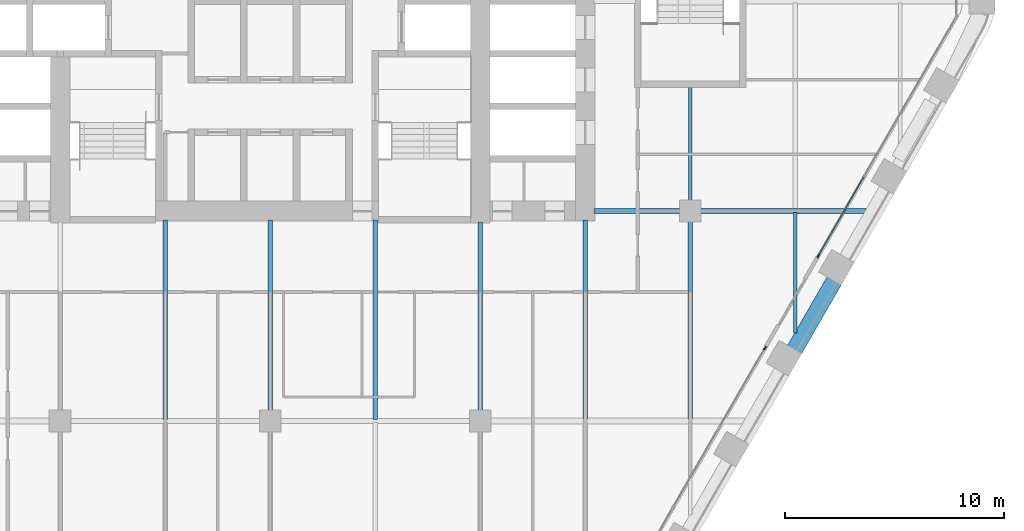
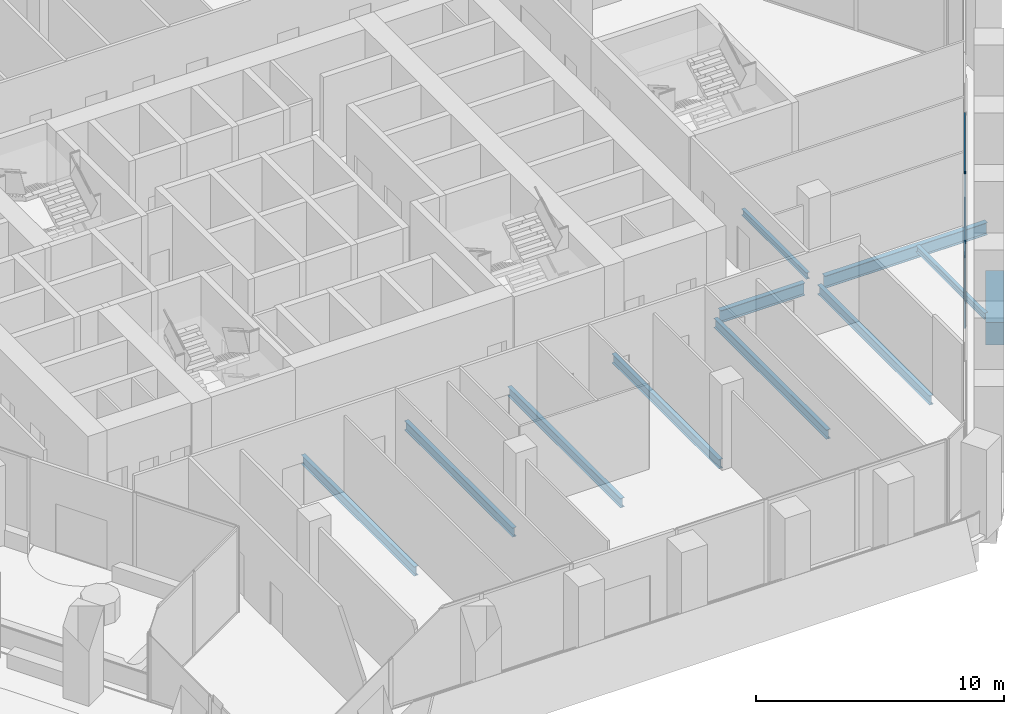
# One storey, part 5 of 27: 11 beams, 4 members, 2 elements without a shape of their own.
"""IFC4 building model written with IfcOpenShell, lengths in metres."""

from ifc_helpers import new_model, si_unit, direction, frame, origin, origin_2d, place, context, subcontext, project, spatial, rectangle, i_section, extrude, material, material_profile, profile_set, type_object, element, aggregate, save


model = new_model("IFC4")

# Units and contexts
model_context = context("Model", 3, precision=1e-05, world=origin(), true_north=direction((0.0, 1.0)))
body_context = subcontext(model_context, "Body", "Model", "MODEL_VIEW")
ifc_project = project(units=[si_unit("LENGTHUNIT", "METRE"), si_unit("AREAUNIT", "SQUARE_METRE"), si_unit("VOLUMEUNIT", "CUBIC_METRE"), si_unit("PLANEANGLEUNIT", "RADIAN"), si_unit("MASSUNIT", "GRAM", prefix="KILO")], contexts=[model_context])

# Site, building, storey
site_placement = place(None, origin())
site = spatial("IfcSite", under=ifc_project, at=site_placement, CompositionType="ELEMENT")
building_placement = place(site_placement, origin())
building = spatial("IfcBuilding", under=site, at=building_placement, Name="Kolab Exchange Tower", CompositionType="ELEMENT")
storey_placement = place(building_placement, frame((0.0, 0.0, 122.89990234375)))
storey = spatial("IfcBuildingStorey", under=building, at=storey_placement, Name="L24", CompositionType="ELEMENT", Elevation=122.89990234375)

# Beams
ifc_material_1 = material(Name="Steel S355", Category="steel")
ifc_material_profile_1 = material_profile(ifc_material_1, i_section(OverallWidth=0.1650390625, OverallDepth=0.31005859375, WebThickness=0.005859375, FlangeThickness=0.009765625, at=origin_2d()), Name="W310X39")
ifc_profile_set_1 = profile_set([ifc_material_profile_1], Name="Steel S355")
beam_type_1 = type_object("IfcBeamType", Name="FLOOR BEAM W310X39", PredefinedType="BEAM", material=ifc_profile_set_1)
beam_1_placement = place(storey_placement, frame((19.199951171875, -9.139892578125, -0.35498046875), z_axis=(0.0, 1.0, 0.0), x_axis=(-1.0, 0.0, 0.0)))
element("IfcBeam", 1, at=beam_1_placement, inside=storey, type_object=beam_type_1, Name="beam/L24/fr/042", PredefinedType="BEAM", context=body_context, shape_type="SweptSolid", body=[
    extrude(i_section(OverallWidth=0.1650390625, OverallDepth=0.31005859375, WebThickness=0.005859375, FlangeThickness=0.009765625, at=origin_2d()), origin(), (0.0, 0.0, 1.0), 5.22998046875),
])
beam_2_placement = place(storey_placement, frame((24.0, -15.167724609375, -0.35498046875), z_axis=(0.0, 1.0, 0.0), x_axis=(-1.0, 0.0, 0.0)))
element("IfcBeam", 2, at=beam_2_placement, inside=storey, type_object=beam_type_1, Name="beam/L24/fr/046", PredefinedType="BEAM", context=body_context, shape_type="SweptSolid", body=[
    extrude(i_section(OverallWidth=0.1650390625, OverallDepth=0.31005859375, WebThickness=0.005859375, FlangeThickness=0.009765625, at=origin_2d()), origin(), (0.0, 0.0, 1.0), 5.49365234375),
])
ifc_material_profile_2 = material_profile(ifc_material_1, i_section(OverallWidth=0.18994140625, OverallDepth=0.45703125, WebThickness=0.009033203125, FlangeThickness=0.014404296875, at=origin_2d()), Name="W460X74")
ifc_profile_set_2 = profile_set([ifc_material_profile_2], Name="Steel S355")
beam_type_2 = type_object("IfcBeamType", Name="FLOOR BEAM W460X74", PredefinedType="BEAM", material=ifc_profile_set_2)
beam_3_placement = place(storey_placement, frame((-4.800048828125, -19.1259765625, -0.428466796875), z_axis=(0.0, 1.0, 0.0), x_axis=(-1.0, 0.0, 0.0)))
element("IfcBeam", 3, at=beam_3_placement, inside=storey, type_object=beam_type_2, Name="beam/L24/fr/021", PredefinedType="BEAM", context=body_context, shape_type="SweptSolid", body=[
    extrude(i_section(OverallWidth=0.18994140625, OverallDepth=0.45703125, WebThickness=0.009033203125, FlangeThickness=0.014404296875, at=origin_2d()), origin(), (0.0, 0.0, 1.0), 9.115966796875),
])
beam_4_placement = place(storey_placement, frame((0.0, -18.739990234375, -0.428466796875), z_axis=(0.0, 1.0, 0.0), x_axis=(-1.0, 0.0, 0.0)))
element("IfcBeam", 4, at=beam_4_placement, inside=storey, type_object=beam_type_2, Name="beam/L24/fr/025", PredefinedType="BEAM", context=body_context, shape_type="SweptSolid", body=[
    extrude(i_section(OverallWidth=0.18994140625, OverallDepth=0.45703125, WebThickness=0.009033203125, FlangeThickness=0.014404296875, at=origin_2d()), origin(), (0.0, 0.0, 1.0), 8.72998046875),
])
beam_5_placement = place(storey_placement, frame((4.800048828125, -19.1259765625, -0.428466796875), z_axis=(0.0, 1.0, 0.0), x_axis=(-1.0, 0.0, 0.0)))
element("IfcBeam", 5, at=beam_5_placement, inside=storey, type_object=beam_type_2, Name="beam/L24/fr/029", PredefinedType="BEAM", context=body_context, shape_type="SweptSolid", body=[
    extrude(i_section(OverallWidth=0.18994140625, OverallDepth=0.45703125, WebThickness=0.009033203125, FlangeThickness=0.014404296875, at=origin_2d()), origin(), (0.0, 0.0, 1.0), 9.115966796875),
])
beam_6_placement = place(storey_placement, frame((9.60009765625, -18.739990234375, -0.428466796875), z_axis=(0.0, 1.0, 0.0), x_axis=(-1.0, 0.0, 0.0)))
element("IfcBeam", 6, at=beam_6_placement, inside=storey, type_object=beam_type_2, Name="beam/L24/fr/033", PredefinedType="BEAM", context=body_context, shape_type="SweptSolid", body=[
    extrude(i_section(OverallWidth=0.18994140625, OverallDepth=0.45703125, WebThickness=0.009033203125, FlangeThickness=0.014404296875, at=origin_2d()), origin(), (0.0, 0.0, 1.0), 8.6298828125),
])
beam_7_placement = place(storey_placement, frame((14.39990234375, -19.1064453125, -0.428466796875), z_axis=(0.0, 1.0, 0.0), x_axis=(-1.0, 0.0, 0.0)))
element("IfcBeam", 7, at=beam_7_placement, inside=storey, type_object=beam_type_2, Name="beam/L24/fr/037", PredefinedType="BEAM", context=body_context, shape_type="SweptSolid", body=[
    extrude(i_section(OverallWidth=0.18994140625, OverallDepth=0.45703125, WebThickness=0.009033203125, FlangeThickness=0.014404296875, at=origin_2d()), origin(), (0.0, 0.0, 1.0), 9.096435546875),
])
beam_8_placement = place(storey_placement, frame((19.199951171875, -19.1064453125, -0.428466796875), z_axis=(0.0, 1.0, 0.0), x_axis=(-1.0, 0.0, 0.0)))
element("IfcBeam", 8, at=beam_8_placement, inside=storey, type_object=beam_type_2, Name="beam/L24/fr/041", PredefinedType="BEAM", context=body_context, shape_type="SweptSolid", body=[
    extrude(i_section(OverallWidth=0.18994140625, OverallDepth=0.45703125, WebThickness=0.009033203125, FlangeThickness=0.014404296875, at=origin_2d()), origin(), (0.0, 0.0, 1.0), 9.04638671875),
])
ifc_material_profile_3 = material_profile(ifc_material_1, i_section(OverallWidth=0.22802734375, OverallDepth=0.60791015625, WebThickness=0.01123046875, FlangeThickness=0.017333984375, at=origin_2d()), Name="W610X113")
ifc_profile_set_3 = profile_set([ifc_material_profile_3], Name="Steel S355")
beam_type_3 = type_object("IfcBeamType", Name="FLOOR GIRDER W610X113", PredefinedType="BEAM", material=ifc_profile_set_3)
beam_9_placement = place(storey_placement, frame((14.81005859375, -9.60009765625, -0.50390625), z_axis=(1.0, 0.0, 0.0), x_axis=(0.0, 1.0, 0.0)))
element("IfcBeam", 9, at=beam_9_placement, inside=storey, type_object=beam_type_3, Name="beam/L24/gd/014", PredefinedType="BEAM", context=body_context, shape_type="SweptSolid", body=[
    extrude(i_section(OverallWidth=0.22802734375, OverallDepth=0.60791015625, WebThickness=0.01123046875, FlangeThickness=0.017333984375, at=origin_2d()), origin(), (0.0, 0.0, 1.0), 3.929931640625),
])
beam_10_placement = place(storey_placement, frame((19.659912109375, -9.60009765625, -0.50390625), z_axis=(1.0, 0.0, 0.0), x_axis=(0.0, 1.0, 0.0)))
element("IfcBeam", 10, at=beam_10_placement, inside=storey, type_object=beam_type_3, Name="beam/L24/gd/017", PredefinedType="BEAM", context=body_context, shape_type="SweptSolid", body=[
    extrude(i_section(OverallWidth=0.22802734375, OverallDepth=0.60791015625, WebThickness=0.01123046875, FlangeThickness=0.017333984375, at=origin_2d()), origin(), (0.0, 0.0, 1.0), 7.571533203125),
])
ifc_material_2 = material(Name="Concrete C70/85", Category="concrete")
ifc_material_profile_4 = material_profile(ifc_material_2, rectangle(XDim=0.75, YDim=1.10009765625, at=origin_2d()), Name="RC750X1100")
ifc_profile_set_4 = profile_set([ifc_material_profile_4], Name="Concrete C70/85")
beam_type_4 = type_object("IfcBeamType", Name="SPANDREL BEAM 750X1100 C70/85", PredefinedType="BEAM", material=ifc_profile_set_4)
beam_11_placement = place(storey_placement, frame((25.795166015625, -12.768310546875, -0.75), z_axis=(-0.499963655964, -0.866046386007, 0.0), x_axis=(0.866046386007, -0.499963655964, 0.0)))
element("IfcBeam", 11, at=beam_11_placement, inside=storey, type_object=beam_type_4, Name="beam/L24/sp/F3-04", PredefinedType="BEAM", context=body_context, shape_type="SweptSolid", body=[
    extrude(rectangle(XDim=0.75, YDim=1.10009765625, at=origin_2d()), origin(), (0.0, 0.0, 1.0), 3.679931640625),
])

# Curtain wall, member
ifc_material_3 = material(Name="Aluminium EN AW-6063 T6", Category="aluminium")
curtain_wall_type = type_object("IfcCurtainWallType", Name="UNITISED LOWER MID ZONE CURTAIN WALL", PredefinedType="NOTDEFINED", material=ifc_material_3)
curtain_wall_1_placement = place(storey_placement, origin())
curtain_wall_1 = element("IfcCurtainWall", 12, at=curtain_wall_1_placement, inside=storey, type_object=curtain_wall_type, Name="cw/L24/F3-1", PredefinedType="NOTDEFINED")
ifc_material_profile_5 = material_profile(ifc_material_3, rectangle(XDim=0.06005859375, YDim=0.179931640625, at=origin_2d()), Name="RECT 60X180")
ifc_profile_set_5 = profile_set([ifc_material_profile_5], Name="Aluminium EN AW-6063 T6")
member_type_1 = type_object("IfcMemberType", Name="UNITISED LOWER MID ZONE MULLION 60 X 180", PredefinedType="MULLION", material=ifc_profile_set_5)
member_1_placement = place(storey_placement, frame((25.046630859375, -11.65478515625, 0.0), z_axis=(0.0, 0.0, 1.0), x_axis=(0.866025427826, -0.499999958358, 0.0)))
member_1 = element("IfcMember", 13, at=member_1_placement, type_object=member_type_1, Name="CW2 mullion 4", PredefinedType="MULLION", context=body_context, shape_type="SweptSolid", body=[
    extrude(rectangle(XDim=0.06005859375, YDim=0.179931640625, at=origin_2d()), origin(), (0.0, 0.0, 1.0), 4.2001953125),
])

curtain_wall_2_placement = place(storey_placement, origin())
curtain_wall_2 = element("IfcCurtainWall", 14, at=curtain_wall_2_placement, inside=storey, type_object=curtain_wall_type, Name="cw/L24/F3-2", PredefinedType="NOTDEFINED")
member_2_placement = place(storey_placement, frame((22.61669921875, -15.86376953125, 0.0), z_axis=(0.0, 0.0, 1.0), x_axis=(0.866025393644, -0.500000017564, 0.0)))
member_2 = element("IfcMember", 15, at=member_2_placement, type_object=member_type_1, Name="CW2 mullion 1", PredefinedType="MULLION", context=body_context, shape_type="SweptSolid", body=[
    extrude(rectangle(XDim=0.06005859375, YDim=0.179931640625, at=origin_2d()), origin(), (0.0, 0.0, 1.0), 4.2001953125),
])
aggregate(curtain_wall_2, [member_2])

# Member
ifc_material_profile_6 = material_profile(ifc_material_3, rectangle(XDim=0.06005859375, YDim=0.1201171875, at=origin_2d()), Name="RECT 60X120")
ifc_profile_set_6 = profile_set([ifc_material_profile_6], Name="Aluminium EN AW-6063 T6")
member_type_2 = type_object("IfcMemberType", Name="UNITISED LOWER MID ZONE TRANSOM 60 X 120", PredefinedType="USERDEFINED", material=ifc_profile_set_6)
member_3_placement = place(storey_placement, frame((27.1279296875, -8.0498046875, 0.030029296875), z_axis=(-0.499957688808, -0.866049830784, 0.0), x_axis=(0.866049830784, -0.499957688808, 0.0)))
member_3 = element("IfcMember", 16, at=member_3_placement, type_object=member_type_2, Name="CW2 transom 3.1", ObjectType="TRANSOM", PredefinedType="USERDEFINED", context=body_context, shape_type="SweptSolid", body=[
    extrude(rectangle(XDim=0.06005859375, YDim=0.1201171875, at=origin_2d()), origin(), (0.0, 0.0, 1.0), 4.132568359375),
])

member_4_placement = place(storey_placement, frame((27.1279296875, -8.0498046875, 4.170166015625), z_axis=(-0.499957688808, -0.866049830784, 0.0), x_axis=(0.866049830784, -0.499957688808, 0.0)))
member_4 = element("IfcMember", 17, at=member_4_placement, type_object=member_type_2, Name="CW2 transom 3.2", ObjectType="TRANSOM", PredefinedType="USERDEFINED", context=body_context, shape_type="SweptSolid", body=[
    extrude(rectangle(XDim=0.06005859375, YDim=0.1201171875, at=origin_2d()), origin(), (0.0, 0.0, 1.0), 4.132568359375),
])

aggregate(curtain_wall_1, [member_1, member_3, member_4])

save(model, "model.ifc")
